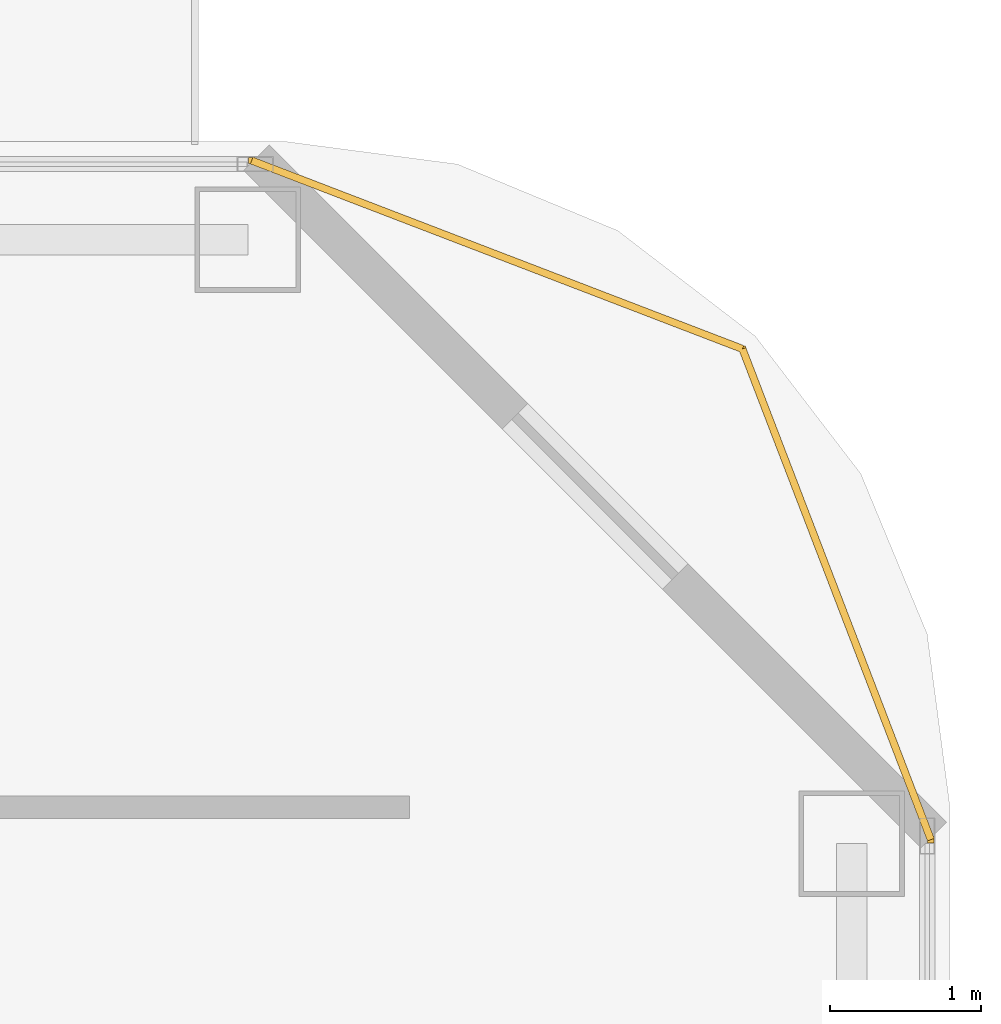
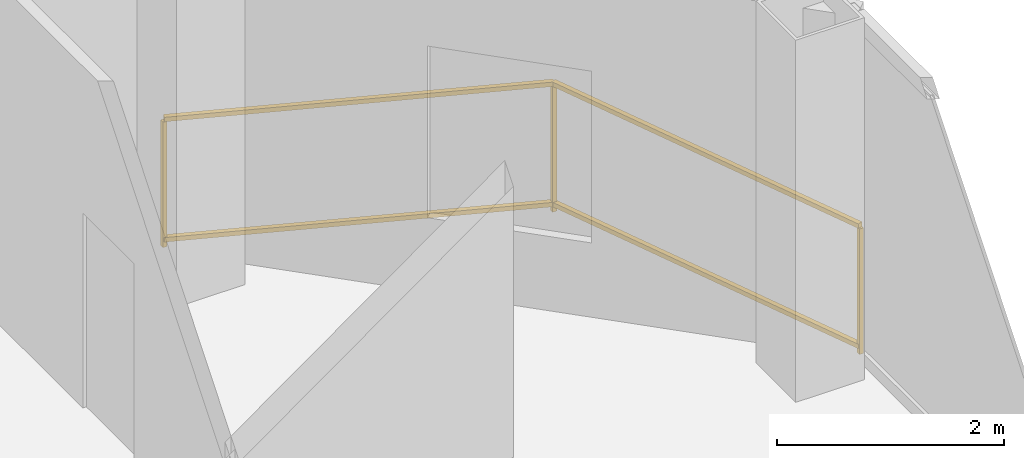
# One storey, part 30 of 30: 1 railing.
"""IFC4 building model written with IfcOpenShell, lengths in metres."""

from ifc_helpers import new_model, si_unit, direction, frame, origin, origin_2d, place, context, subcontext, project, spatial, rectangle, extrude, material, type_object, element, save


model = new_model("IFC4")

# Units and contexts
model_context = context("Model", 3, precision=1e-05, world=origin(), true_north=direction((0.0, 1.0)))
body_context = subcontext(model_context, "Body", "Model", "MODEL_VIEW")
ifc_project = project(units=[si_unit("LENGTHUNIT", "METRE"), si_unit("AREAUNIT", "SQUARE_METRE"), si_unit("VOLUMEUNIT", "CUBIC_METRE"), si_unit("PLANEANGLEUNIT", "RADIAN"), si_unit("MASSUNIT", "GRAM", prefix="KILO")], contexts=[model_context])

# Site, building, storey
site_placement = place(None, origin())
site = spatial("IfcSite", under=ifc_project, at=site_placement, CompositionType="ELEMENT")
building_placement = place(site_placement, origin())
building = spatial("IfcBuilding", under=site, at=building_placement, Name="Khorvyn Point Tower", CompositionType="ELEMENT")
storey_placement = place(building_placement, frame((0.0, 0.0, 117.300048828125)))
storey = spatial("IfcBuildingStorey", under=building, at=storey_placement, Name="L29", CompositionType="ELEMENT", Elevation=117.300048828125)

# Railing
ifc_material = material(Name="Anodised aluminium 6063-T6 and laminated safety glass", Category="aluminium")
railing_type = type_object("IfcRailingType", Name="Laminated Glass and Aluminium Balcony Guardrail 1400", PredefinedType="BALUSTRADE", material=ifc_material)
railing_placement = place(storey_placement, frame((27.57421875, 24.97607421875, 0.0)))
element("IfcRailing", 1, at=railing_placement, inside=storey, type_object=railing_type, Name="L29 Rounded Corner Edge Guardrail NE", PredefinedType="BALUSTRADE", context=body_context, shape_type="SweptSolid", body=[
    extrude(rectangle(XDim=0.048095703125, YDim=0.048095703125, at=origin_2d()), frame((0.0, 0.0, 1.3759765625), z_axis=(-0.35840572668, 0.933565924337, 0.0), x_axis=(-0.933565924337, -0.35840572668, 0.0)), (0.0, 0.0, 1.0), 3.4814453125),
    extrude(rectangle(XDim=0.048095703125, YDim=0.048095703125, at=origin_2d()), frame((0.0, 0.0, 0.080078125), z_axis=(-0.35840572668, 0.933565924337, 0.0), x_axis=(-0.933565924337, -0.35840572668, 0.0)), (0.0, 0.0, 1.0), 3.4814453125),
    extrude(rectangle(XDim=0.048095703125, YDim=0.048095703125, at=origin_2d()), frame((-1.247802734375, 3.250244140625, 1.3759765625), z_axis=(-0.933574931257, 0.358382264808, 0.0), x_axis=(-0.358382264808, -0.933574931257, 0.0)), (0.0, 0.0, 1.0), 3.481689453125),
    extrude(rectangle(XDim=0.048095703125, YDim=0.048095703125, at=origin_2d()), frame((-1.247802734375, 3.250244140625, 0.080078125), z_axis=(-0.933574931257, 0.358382264808, 0.0), x_axis=(-0.358382264808, -0.933574931257, 0.0)), (0.0, 0.0, 1.0), 3.481689453125),
    extrude(rectangle(XDim=0.0419921875, YDim=0.0419921875, at=origin_2d()), origin(), (0.0, 0.0, 1.0), 1.351806640625),
    extrude(rectangle(XDim=0.0419921875, YDim=0.0419921875, at=origin_2d()), frame((-1.247802734375, 3.250244140625, 0.0)), (0.0, 0.0, 1.0), 1.351806640625),
    extrude(rectangle(XDim=0.0419921875, YDim=0.0419921875, at=origin_2d()), frame((-4.498291015625, 4.498046875, 0.0)), (0.0, 0.0, 1.0), 1.351806640625),
])

save(model, "model.ifc")
